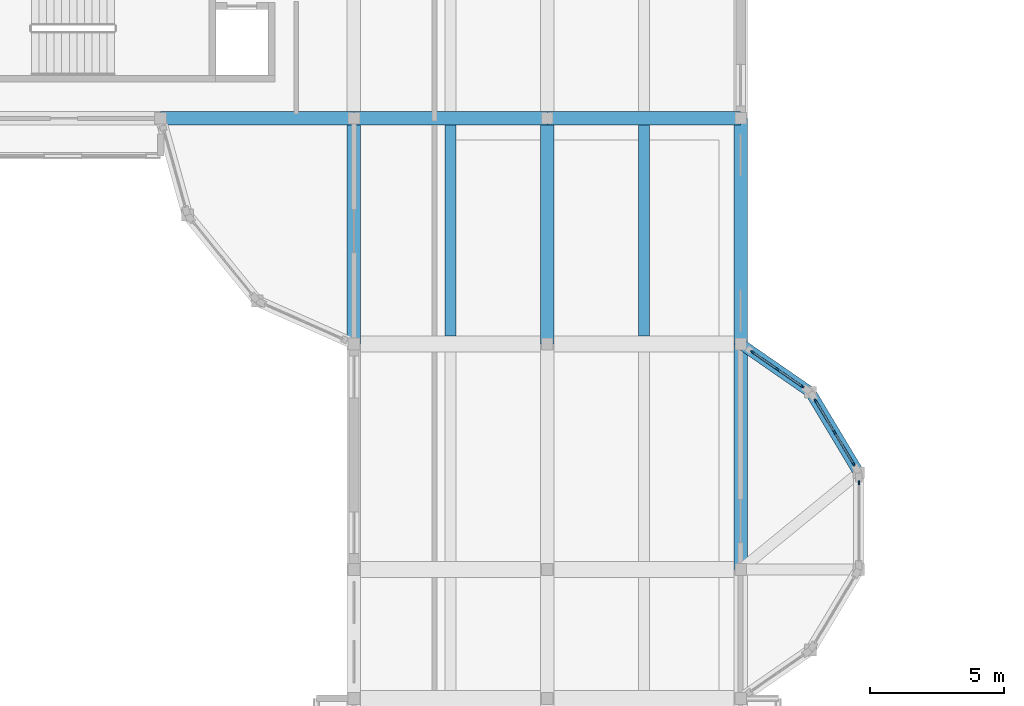
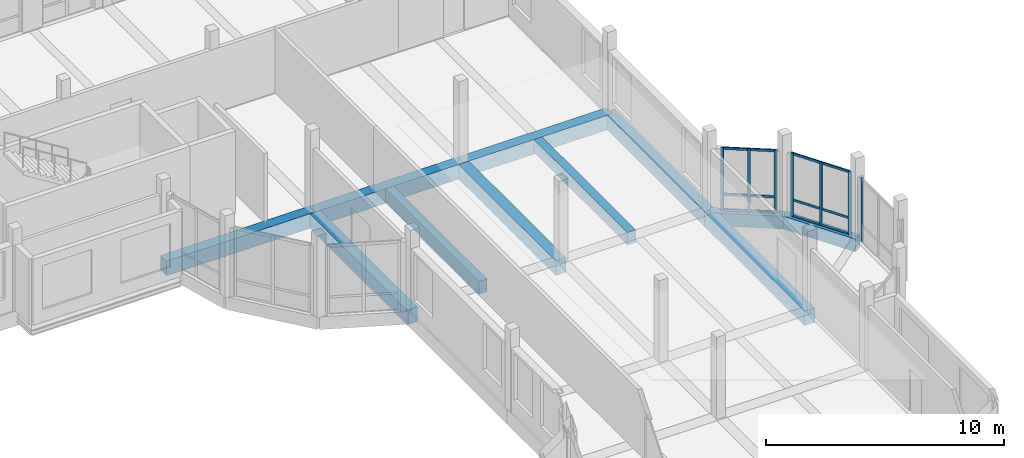
# One storey, part 39 of 99: 13 members, 11 beams, 3 elements without a shape of their own.
"""IFC4 building model written with IfcOpenShell, lengths in metres."""

from ifc_helpers import new_model, si_unit, direction, frame, origin, origin_2d, place, context, subcontext, project, spatial, rectangle, extrude, material, material_profile, profile_set, type_object, element, aggregate, save


model = new_model("IFC4")

# Units and contexts
model_context = context("Model", 3, precision=1e-05, world=origin(), true_north=direction((0.0, 1.0)))
body_context = subcontext(model_context, "Body", "Model", "MODEL_VIEW")
ifc_project = project(units=[si_unit("LENGTHUNIT", "METRE"), si_unit("AREAUNIT", "SQUARE_METRE"), si_unit("VOLUMEUNIT", "CUBIC_METRE"), si_unit("PLANEANGLEUNIT", "RADIAN"), si_unit("MASSUNIT", "GRAM", prefix="KILO")], contexts=[model_context])

# Site, building, storey
site_placement = place(None, origin())
site = spatial("IfcSite", under=ifc_project, at=site_placement, CompositionType="ELEMENT")
building_placement = place(site_placement, origin())
building = spatial("IfcBuilding", under=site, at=building_placement, Name="Kahlenmark Community Centre", CompositionType="ELEMENT")
storey_placement = place(building_placement, frame((0.0, 0.0, 5.39990234375)))
storey = spatial("IfcBuildingStorey", under=building, at=storey_placement, Name="L01", CompositionType="ELEMENT", Elevation=5.39990234375)

# Beams
ifc_material_1 = material(Name="Concrete C35/45", Category="concrete")
ifc_material_profile_1 = material_profile(ifc_material_1, rectangle(XDim=0.5, YDim=0.75, at=origin_2d()), Name="RC 500x750")
ifc_profile_set_1 = profile_set([ifc_material_profile_1], Name="Concrete C35/45")
beam_type_1 = type_object("IfcBeamType", Name="BT-BEAM-RC500x750", PredefinedType="BEAM", material=ifc_profile_set_1)
beam_1_placement = place(storey_placement, frame((79.60009765625, 89.199951171875, -0.375), z_axis=(0.0, 1.0, 0.0), x_axis=(-1.0, 0.0, 0.0)))
element("IfcBeam", 1, at=beam_1_placement, inside=storey, type_object=beam_type_1, Name="L01 beam BG-RC500x750", PredefinedType="BEAM", context=body_context, shape_type="SweptSolid", body=[
    extrude(rectangle(XDim=0.5, YDim=0.75, at=origin_2d()), origin(), (0.0, 0.0, 1.0), 8.400146484375),
])
ifc_material_profile_2 = material_profile(ifc_material_1, rectangle(XDim=0.39990234375, YDim=0.64990234375, at=origin_2d()), Name="RC 400x650")
ifc_profile_set_2 = profile_set([ifc_material_profile_2], Name="Concrete C35/45")
beam_type_2 = type_object("IfcBeamType", Name="BT-JOIST-RC400x650", PredefinedType="JOIST", material=ifc_profile_set_2)
for number, where, z_axis, x_axis, name in (
    (2, (76.0, 89.498046875, -0.324951171875), (0.0, 1.0, 0.0), (-1.0, 0.0, 0.0), "L01 joist BJ-RC400x650"),
    (3, (83.199951171875, 89.498046875, -0.324951171875), (0.0, 1.0, 0.0), (-1.0, 0.0, 0.0), "L01 joist BJ-RC400x650"),
):
    element("IfcBeam", number, at=place(storey_placement, frame(where, z_axis=z_axis, x_axis=x_axis)), inside=storey, type_object=beam_type_2, Name=name, PredefinedType="JOIST", context=body_context, shape_type="SweptSolid", body=[
        extrude(rectangle(XDim=0.39990234375, YDim=0.64990234375, at=origin_2d()), origin(), (0.0, 0.0, 1.0), 7.85400390625),
    ])
ifc_material_profile_3 = material_profile(ifc_material_1, rectangle(XDim=0.39990234375, YDim=0.64990234375, at=origin_2d()), Name="RC 400x650")
ifc_profile_set_3 = profile_set([ifc_material_profile_3], Name="Concrete C35/45")
beam_type_3 = type_object("IfcBeamType", Name="BT-SPANDREL-RC400x650", PredefinedType="SPANDREL", material=ifc_profile_set_3)
beam_2_placement = place(storey_placement, frame((91.199951171875, 84.39990234375, -0.324951171875), z_axis=(-0.514506017516, 0.857486768376, 0.0), x_axis=(-0.857486768376, -0.514506017516, 0.0)))
element("IfcBeam", 4, at=beam_2_placement, inside=storey, type_object=beam_type_3, Name="L01 spandrel SP-RC400x650", PredefinedType="SPANDREL", context=body_context, shape_type="SweptSolid", body=[
    extrude(rectangle(XDim=0.39990234375, YDim=0.64990234375, at=origin_2d()), origin(), (0.0, 0.0, 1.0), 3.49853515625),
])
beam_3_placement = place(storey_placement, frame((89.39990234375, 87.39990234375, -0.324951171875), z_axis=(-0.8221699556, 0.569242096219, 0.0), x_axis=(-0.569242096219, -0.8221699556, 0.0)))
element("IfcBeam", 5, at=beam_3_placement, inside=storey, type_object=beam_type_3, Name="L01 spandrel SP-RC400x650", PredefinedType="SPANDREL", context=body_context, shape_type="SweptSolid", body=[
    extrude(rectangle(XDim=0.39990234375, YDim=0.64990234375, at=origin_2d()), origin(), (0.0, 0.0, 1.0), 3.162109375),
])
ifc_material_profile_4 = material_profile(ifc_material_1, rectangle(XDim=0.5, YDim=0.75, at=origin_2d()), Name="RC 500x750")
ifc_profile_set_4 = profile_set([ifc_material_profile_4], Name="Concrete C35/45")
beam_type_4 = type_object("IfcBeamType", Name="BT-SPANDREL-RC500x750", PredefinedType="SPANDREL", material=ifc_profile_set_4)
beam_4_placement = place(storey_placement, frame((65.199951171875, 97.60009765625, -0.375), z_axis=(1.0, 0.0, 0.0), x_axis=(0.0, 1.0, 0.0)))
element("IfcBeam", 6, at=beam_4_placement, inside=storey, type_object=beam_type_4, Name="L01 spandrel SP-RC500x750", PredefinedType="SPANDREL", context=body_context, shape_type="SweptSolid", body=[
    extrude(rectangle(XDim=0.5, YDim=0.75, at=origin_2d()), origin(), (0.0, 0.0, 1.0), 7.199951171875),
])
beam_5_placement = place(storey_placement, frame((72.39990234375, 97.60009765625, -0.375), z_axis=(1.0, 0.0, 0.0), x_axis=(0.0, 1.0, 0.0)))
element("IfcBeam", 7, at=beam_5_placement, inside=storey, type_object=beam_type_4, Name="L01 spandrel SP-RC500x750", PredefinedType="SPANDREL", context=body_context, shape_type="SweptSolid", body=[
    extrude(rectangle(XDim=0.5, YDim=0.75, at=origin_2d()), origin(), (0.0, 0.0, 1.0), 7.2001953125),
])
beam_6_placement = place(storey_placement, frame((79.60009765625, 97.60009765625, -0.375), z_axis=(1.0, 0.0, 0.0), x_axis=(0.0, 1.0, 0.0)))
element("IfcBeam", 8, at=beam_6_placement, inside=storey, type_object=beam_type_4, Name="L01 spandrel SP-RC500x750", PredefinedType="SPANDREL", context=body_context, shape_type="SweptSolid", body=[
    extrude(rectangle(XDim=0.5, YDim=0.75, at=origin_2d()), origin(), (0.0, 0.0, 1.0), 7.199951171875),
])
beam_7_placement = place(storey_placement, frame((72.39990234375, 89.199951171875, -0.375), z_axis=(0.0, 1.0, 0.0), x_axis=(-1.0, 0.0, 0.0)))
element("IfcBeam", 9, at=beam_7_placement, inside=storey, type_object=beam_type_4, Name="L01 spandrel SP-RC500x750", PredefinedType="SPANDREL", context=body_context, shape_type="SweptSolid", body=[
    extrude(rectangle(XDim=0.5, YDim=0.75, at=origin_2d()), origin(), (0.0, 0.0, 1.0), 8.400146484375),
])
beam_8_placement = place(storey_placement, frame((86.800048828125, 80.800048828125, -0.375), z_axis=(0.0, 1.0, 0.0), x_axis=(-1.0, 0.0, 0.0)))
element("IfcBeam", 10, at=beam_8_placement, inside=storey, type_object=beam_type_4, Name="L01 spandrel SP-RC500x750", PredefinedType="SPANDREL", context=body_context, shape_type="SweptSolid", body=[
    extrude(rectangle(XDim=0.5, YDim=0.75, at=origin_2d()), origin(), (0.0, 0.0, 1.0), 8.39990234375),
])
beam_9_placement = place(storey_placement, frame((86.800048828125, 89.199951171875, -0.375), z_axis=(0.0, 1.0, 0.0), x_axis=(-1.0, 0.0, 0.0)))
element("IfcBeam", 11, at=beam_9_placement, inside=storey, type_object=beam_type_4, Name="L01 spandrel SP-RC500x750", PredefinedType="SPANDREL", context=body_context, shape_type="SweptSolid", body=[
    extrude(rectangle(XDim=0.5, YDim=0.75, at=origin_2d()), origin(), (0.0, 0.0, 1.0), 8.400146484375),
])

# Curtain wall, member
ifc_material_2 = material(Name="Anodised aluminium unitised curtain wall", Category="aluminium")
curtain_wall_type_1 = type_object("IfcCurtainWallType", Name="CWT-UNIT-292X325", PredefinedType="USERDEFINED", material=ifc_material_2)
curtain_wall_1_placement = place(storey_placement, origin())
curtain_wall_1 = element("IfcCurtainWall", 12, at=curtain_wall_1_placement, inside=storey, type_object=curtain_wall_type_1, Name="Unitised curtain wall CW-153", ObjectType="UNITISED CURTAIN WALL", PredefinedType="USERDEFINED")
ifc_material_3 = material(Name="Anodised aluminium 6063-T6", Category="aluminium")
ifc_material_profile_5 = material_profile(ifc_material_3, rectangle(XDim=0.06005859375, YDim=0.139892578125, at=origin_2d()), Name="ALU MULLION 60x140")
ifc_profile_set_5 = profile_set([ifc_material_profile_5], Name="Anodised aluminium 6063-T6")
member_type_1 = type_object("IfcMemberType", Name="MT-MUL-140", PredefinedType="MULLION", material=ifc_profile_set_5)
member_1_placement = place(storey_placement, frame((91.199951171875, 84.030029296875, 0.0), z_axis=(0.0, 0.0, 1.0), x_axis=(-1.0, 0.0, 0.0)))
member_1 = element("IfcMember", 13, at=member_1_placement, type_object=member_type_1, Name="CW-153 mullion 3", PredefinedType="MULLION", context=body_context, shape_type="SweptSolid", body=[
    extrude(rectangle(XDim=0.06005859375, YDim=0.139892578125, at=origin_2d()), origin(), (0.0, 0.0, 1.0), 3.25),
])
aggregate(curtain_wall_1, [member_1])

# Curtain wall, members
curtain_wall_type_2 = type_object("IfcCurtainWallType", Name="CWT-UNIT-282X325", PredefinedType="USERDEFINED", material=ifc_material_2)
curtain_wall_2_placement = place(storey_placement, origin())
curtain_wall_2 = element("IfcCurtainWall", 14, at=curtain_wall_2_placement, inside=storey, type_object=curtain_wall_type_2, Name="Unitised curtain wall CW-154", ObjectType="UNITISED CURTAIN WALL", PredefinedType="USERDEFINED")
member_2_placement = place(storey_placement, frame((91.009765625, 84.71728515625, 0.0), z_axis=(0.0, 0.0, 1.0), x_axis=(-0.857492535386, -0.514496405972, 0.0)))
member_2 = element("IfcMember", 15, at=member_2_placement, type_object=member_type_1, Name="CW-154 mullion 1", PredefinedType="MULLION", context=body_context, shape_type="SweptSolid", body=[
    extrude(rectangle(XDim=0.06005859375, YDim=0.139892578125, at=origin_2d()), origin(), (0.0, 0.0, 1.0), 3.25),
])
member_3_placement = place(storey_placement, frame((90.300048828125, 85.89990234375, 0.0), z_axis=(0.0, 0.0, 1.0), x_axis=(-0.857492535386, -0.514496405972, 0.0)))
member_3 = element("IfcMember", 16, at=member_3_placement, type_object=member_type_1, Name="CW-154 mullion 2", PredefinedType="MULLION", context=body_context, shape_type="SweptSolid", body=[
    extrude(rectangle(XDim=0.06005859375, YDim=0.139892578125, at=origin_2d()), origin(), (0.0, 0.0, 1.0), 3.25),
])
member_4_placement = place(storey_placement, frame((89.59033203125, 87.082763671875, 0.0), z_axis=(0.0, 0.0, 1.0), x_axis=(-0.857492535386, -0.514496405972, 0.0)))
member_4 = element("IfcMember", 17, at=member_4_placement, type_object=member_type_1, Name="CW-154 mullion 3", PredefinedType="MULLION", context=body_context, shape_type="SweptSolid", body=[
    extrude(rectangle(XDim=0.06005859375, YDim=0.139892578125, at=origin_2d()), origin(), (0.0, 0.0, 1.0), 3.25),
])

curtain_wall_type_3 = type_object("IfcCurtainWallType", Name="CWT-UNIT-232X325", PredefinedType="USERDEFINED", material=ifc_material_2)
curtain_wall_3_placement = place(storey_placement, origin())
curtain_wall_3 = element("IfcCurtainWall", 18, at=curtain_wall_3_placement, inside=storey, type_object=curtain_wall_type_3, Name="Unitised curtain wall CW-155", ObjectType="UNITISED CURTAIN WALL", PredefinedType="USERDEFINED")
member_5_placement = place(storey_placement, frame((89.095703125, 87.610595703125, 0.0), z_axis=(0.0, 0.0, 1.0), x_axis=(-0.56921208065, -0.822190736534, 0.0)))
member_5 = element("IfcMember", 19, at=member_5_placement, type_object=member_type_1, Name="CW-155 mullion 1", PredefinedType="MULLION", context=body_context, shape_type="SweptSolid", body=[
    extrude(rectangle(XDim=0.06005859375, YDim=0.139892578125, at=origin_2d()), origin(), (0.0, 0.0, 1.0), 3.25),
])
member_6_placement = place(storey_placement, frame((88.165771484375, 88.25439453125, 0.0), z_axis=(0.0, 0.0, 1.0), x_axis=(-0.56921208065, -0.822190736534, 0.0)))
member_6 = element("IfcMember", 20, at=member_6_placement, type_object=member_type_1, Name="CW-155 mullion 2", PredefinedType="MULLION", context=body_context, shape_type="SweptSolid", body=[
    extrude(rectangle(XDim=0.06005859375, YDim=0.139892578125, at=origin_2d()), origin(), (0.0, 0.0, 1.0), 3.25),
])
member_7_placement = place(storey_placement, frame((87.23583984375, 88.898193359375, 0.0), z_axis=(0.0, 0.0, 1.0), x_axis=(-0.56921208065, -0.822190736534, 0.0)))
member_7 = element("IfcMember", 21, at=member_7_placement, type_object=member_type_1, Name="CW-155 mullion 3", PredefinedType="MULLION", context=body_context, shape_type="SweptSolid", body=[
    extrude(rectangle(XDim=0.06005859375, YDim=0.139892578125, at=origin_2d()), origin(), (0.0, 0.0, 1.0), 3.25),
])

# Member
ifc_material_profile_6 = material_profile(ifc_material_3, rectangle(XDim=0.06005859375, YDim=0.1201171875, at=origin_2d()), Name="ALU TRANSOM 60x120")
ifc_profile_set_6 = profile_set([ifc_material_profile_6], Name="Anodised aluminium 6063-T6")
member_type_2 = type_object("IfcMemberType", Name="MT-TRN-120", PredefinedType="USERDEFINED", material=ifc_profile_set_6)
member_8_placement = place(storey_placement, frame((91.009765625, 84.71728515625, 0.0400390625), z_axis=(-0.514534798693, 0.857469498544, 0.0), x_axis=(-0.857469498544, -0.514534798693, 0.0)))
member_8 = element("IfcMember", 22, at=member_8_placement, type_object=member_type_2, Name="CW-154 transom 1", ObjectType="TRANSOM", PredefinedType="USERDEFINED", context=body_context, shape_type="SweptSolid", body=[
    extrude(rectangle(XDim=0.06005859375, YDim=0.1201171875, at=origin_2d()), origin(), (0.0, 0.0, 1.0), 2.7587890625),
])

member_9_placement = place(storey_placement, frame((91.009765625, 84.71728515625, 0.85009765625), z_axis=(-0.514534798693, 0.857469498544, 0.0), x_axis=(-0.857469498544, -0.514534798693, 0.0)))
member_9 = element("IfcMember", 23, at=member_9_placement, type_object=member_type_2, Name="CW-154 transom 2", ObjectType="TRANSOM", PredefinedType="USERDEFINED", context=body_context, shape_type="SweptSolid", body=[
    extrude(rectangle(XDim=0.06005859375, YDim=0.1201171875, at=origin_2d()), origin(), (0.0, 0.0, 1.0), 2.7587890625),
])

member_10_placement = place(storey_placement, frame((91.009765625, 84.71728515625, 3.210205078125), z_axis=(-0.514534798693, 0.857469498544, 0.0), x_axis=(-0.857469498544, -0.514534798693, 0.0)))
member_10 = element("IfcMember", 24, at=member_10_placement, type_object=member_type_2, Name="CW-154 transom 3", ObjectType="TRANSOM", PredefinedType="USERDEFINED", context=body_context, shape_type="SweptSolid", body=[
    extrude(rectangle(XDim=0.06005859375, YDim=0.1201171875, at=origin_2d()), origin(), (0.0, 0.0, 1.0), 2.7587890625),
])

aggregate(curtain_wall_2, [member_2, member_3, member_4, member_8, member_9, member_10])

member_11_placement = place(storey_placement, frame((89.095703125, 87.610595703125, 0.0400390625), z_axis=(-0.822192191644, 0.56920997883, 0.0), x_axis=(-0.56920997883, -0.822192191644, 0.0)))
member_11 = element("IfcMember", 25, at=member_11_placement, type_object=member_type_2, Name="CW-155 transom 1", ObjectType="TRANSOM", PredefinedType="USERDEFINED", context=body_context, shape_type="SweptSolid", body=[
    extrude(rectangle(XDim=0.06005859375, YDim=0.1201171875, at=origin_2d()), origin(), (0.0, 0.0, 1.0), 2.261962890625),
])

member_12_placement = place(storey_placement, frame((89.095703125, 87.610595703125, 0.85009765625), z_axis=(-0.822192191644, 0.56920997883, 0.0), x_axis=(-0.56920997883, -0.822192191644, 0.0)))
member_12 = element("IfcMember", 26, at=member_12_placement, type_object=member_type_2, Name="CW-155 transom 2", ObjectType="TRANSOM", PredefinedType="USERDEFINED", context=body_context, shape_type="SweptSolid", body=[
    extrude(rectangle(XDim=0.06005859375, YDim=0.1201171875, at=origin_2d()), origin(), (0.0, 0.0, 1.0), 2.261962890625),
])

member_13_placement = place(storey_placement, frame((89.095703125, 87.610595703125, 3.210205078125), z_axis=(-0.822192191644, 0.56920997883, 0.0), x_axis=(-0.56920997883, -0.822192191644, 0.0)))
member_13 = element("IfcMember", 27, at=member_13_placement, type_object=member_type_2, Name="CW-155 transom 3", ObjectType="TRANSOM", PredefinedType="USERDEFINED", context=body_context, shape_type="SweptSolid", body=[
    extrude(rectangle(XDim=0.06005859375, YDim=0.1201171875, at=origin_2d()), origin(), (0.0, 0.0, 1.0), 2.261962890625),
])

aggregate(curtain_wall_3, [member_5, member_6, member_7, member_11, member_12, member_13])

save(model, "model.ifc")
